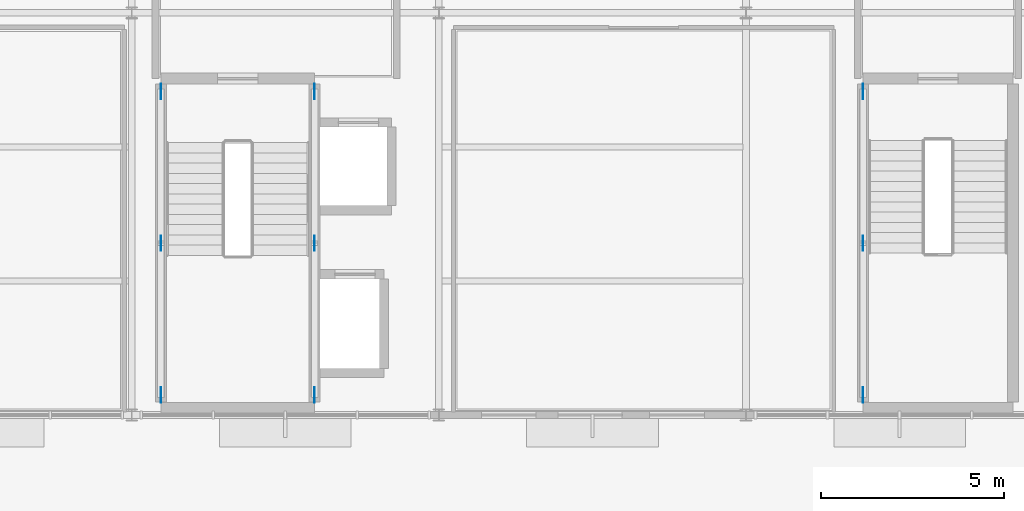
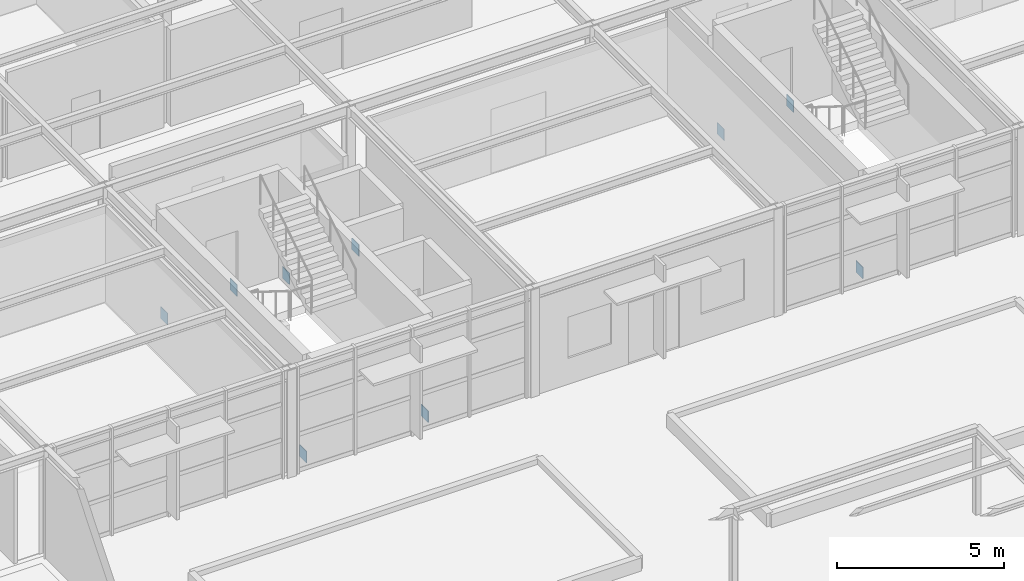
# One storey, part 38 of 49: 9 plates.
"""IFC4 building model written with IfcOpenShell, lengths in metres."""

from ifc_helpers import new_model, si_unit, direction, frame, origin, origin_2d, place, context, subcontext, project, spatial, rectangle, extrude, material, layer, layer_set, type_object, element, save


model = new_model("IFC4")

# Units and contexts
model_context = context("Model", 3, precision=1e-05, world=origin(), true_north=direction((0.0, 1.0)))
body_context = subcontext(model_context, "Body", "Model", "MODEL_VIEW")
ifc_project = project(units=[si_unit("LENGTHUNIT", "METRE"), si_unit("AREAUNIT", "SQUARE_METRE"), si_unit("VOLUMEUNIT", "CUBIC_METRE"), si_unit("PLANEANGLEUNIT", "RADIAN"), si_unit("MASSUNIT", "GRAM", prefix="KILO")], contexts=[model_context])

# Site, building, storey
site_placement = place(None, origin())
site = spatial("IfcSite", under=ifc_project, at=site_placement, CompositionType="ELEMENT")
building_placement = place(site_placement, origin())
building = spatial("IfcBuilding", under=site, at=building_placement, Name="Sitalva Quay Ferry Terminal", CompositionType="ELEMENT")
storey_placement = place(building_placement, frame((0.0, 0.0, 10.199951171875)))
storey = spatial("IfcBuildingStorey", under=building, at=storey_placement, Name="L03", CompositionType="ELEMENT", Elevation=10.199951171875)

# Plates
ifc_material = material(Name="Structural Steel S355JR", Category="steel")
ifc_layer = layer(ifc_material, 0.02197265625)
ifc_layer_set = layer_set([ifc_layer], Name="Structural Steel S355JR")
plate_type = type_object("IfcPlateType", Name="Gusset_420x420x22", PredefinedType="USERDEFINED", material=ifc_layer_set)
for number, where, z_axis, x_axis, name in (
    (1, (97.39990234375, 82.699951171875, 3.489990234375), (0.0, 0.0, 1.0), (1.0, 0.0, 0.0), "Braced frame BF3 L03 APEX gusset"),
    (2, (97.39990234375, 78.550048828125, -0.059814453125), (0.0, 0.0, 1.0), (1.0, 0.0, 0.0), "Braced frame BF3 L03 BASE-A gusset"),
    (3, (97.39990234375, 86.85009765625, -0.059814453125), (0.0, 0.0, 1.0), (1.0, 0.0, 0.0), "Braced frame BF3 L03 BASE-B gusset"),
    (4, (112.39990234375, 82.699951171875, 3.489990234375), (0.0, 0.0, 1.0), (1.0, 0.0, 0.0), "Braced frame BF5 L03 APEX gusset"),
    (5, (112.39990234375, 78.550048828125, -0.059814453125), (0.0, 0.0, 1.0), (1.0, 0.0, 0.0), "Braced frame BF5 L03 BASE-A gusset"),
    (6, (112.39990234375, 86.85009765625, -0.059814453125), (0.0, 0.0, 1.0), (1.0, 0.0, 0.0), "Braced frame BF5 L03 BASE-B gusset"),
    (7, (93.199951171875, 82.699951171875, 3.489990234375), (0.0, 0.0, 1.0), (1.0, 0.0, 0.0), "Braced frame BF6 L03 APEX gusset"),
    (8, (93.199951171875, 78.550048828125, -0.059814453125), (0.0, 0.0, 1.0), (1.0, 0.0, 0.0), "Braced frame BF6 L03 BASE-A gusset"),
    (9, (93.199951171875, 86.85009765625, -0.059814453125), (0.0, 0.0, 1.0), (1.0, 0.0, 0.0), "Braced frame BF6 L03 BASE-B gusset"),
):
    element("IfcPlate", number, at=place(storey_placement, frame(where, z_axis=z_axis, x_axis=x_axis)), inside=storey, type_object=plate_type, Name=name, ObjectType="FLANGE_PLATE", PredefinedType="USERDEFINED", context=body_context, shape_type="SweptSolid", body=[
        extrude(rectangle(XDim=0.02197265625, YDim=0.419921875, at=origin_2d()), origin(), (0.0, 0.0, 1.0), 0.419921875),
    ])

save(model, "model.ifc")
